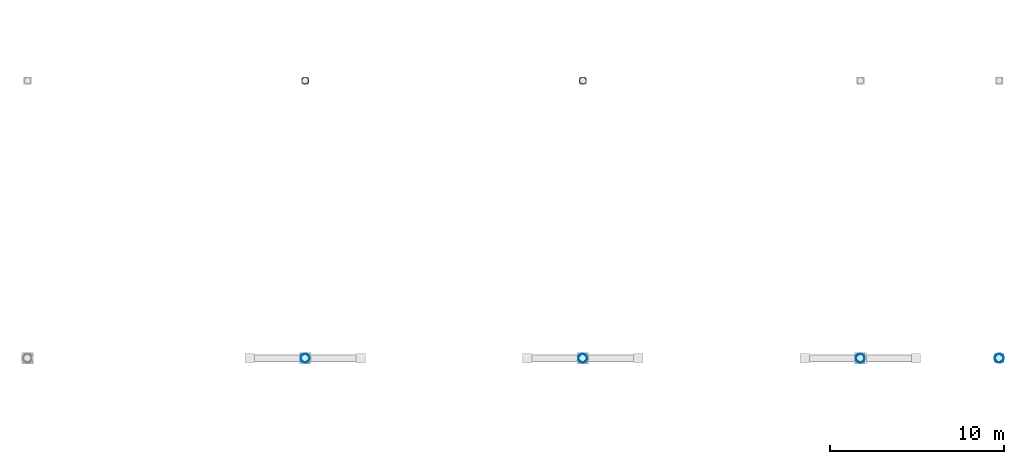
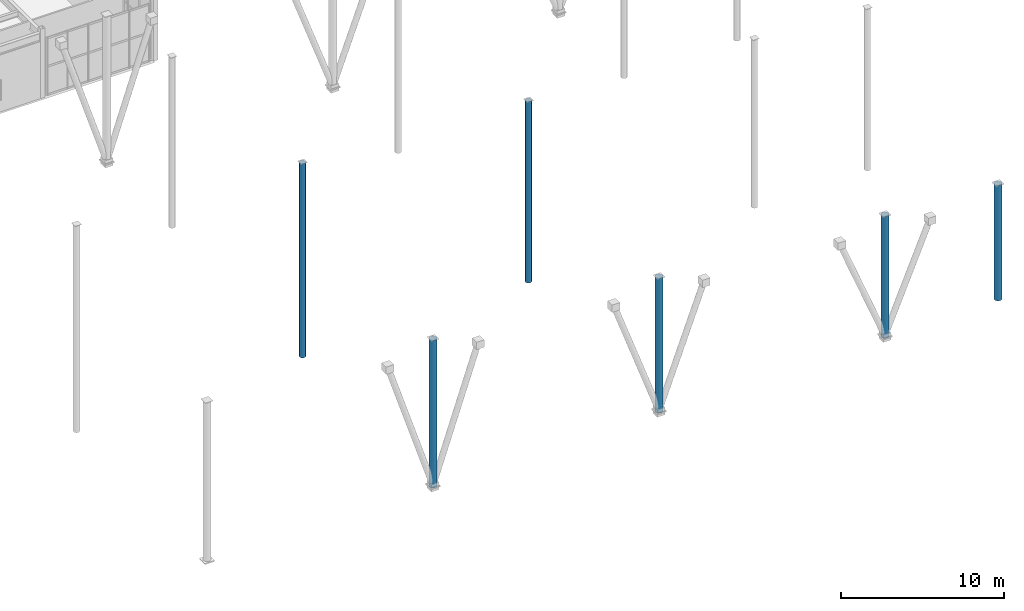
# One storey, part 15 of 77: 6 columns.
"""IFC4 building model written with IfcOpenShell, lengths in metres."""

from ifc_helpers import new_model, si_unit, direction, frame, origin, origin_2d, place, context, subcontext, project, spatial, hollow_circle, extrude, material, material_profile, profile_set, type_object, element, save


model = new_model("IFC4")

# Units and contexts
model_context = context("Model", 3, precision=1e-05, world=origin(), true_north=direction((0.0, 1.0)))
body_context = subcontext(model_context, "Body", "Model", "MODEL_VIEW")
ifc_project = project(units=[si_unit("LENGTHUNIT", "METRE"), si_unit("AREAUNIT", "SQUARE_METRE"), si_unit("VOLUMEUNIT", "CUBIC_METRE"), si_unit("PLANEANGLEUNIT", "RADIAN"), si_unit("MASSUNIT", "GRAM", prefix="KILO")], contexts=[model_context])

# Site, building, storey
site_placement = place(None, origin())
site = spatial("IfcSite", under=ifc_project, at=site_placement, CompositionType="ELEMENT")
building_placement = place(site_placement, origin())
building = spatial("IfcBuilding", under=site, at=building_placement, Name="Drelvath Fold Interchange", CompositionType="ELEMENT")
storey_placement = place(building_placement, frame((0.0, 0.0, 6.0)))
storey = spatial("IfcBuildingStorey", under=building, at=storey_placement, Name="L01", CompositionType="ELEMENT", Elevation=6.0)

# Columns
ifc_material = material(Name="Steel ASTM A500 Grade C", Category="steel")
ifc_material_profile_1 = material_profile(ifc_material, hollow_circle(Radius=0.25390625, WallThickness=0.014892578125, at=origin_2d()), Name="HSS20.000X0.625")
ifc_profile_set_1 = profile_set([ifc_material_profile_1], Name="Steel ASTM A500 Grade C")
column_type_1 = type_object("IfcColumnType", Name="COL-CFT508", PredefinedType="COLUMN", material=ifc_profile_set_1)
column_1_placement = place(storey_placement, frame((134.0, 27.0, 0.0), z_axis=(0.0, 0.0, 1.0), x_axis=(1.0, 0.0, 0.0)))
element("IfcColumn", 1, at=column_1_placement, inside=storey, type_object=column_type_1, Name="L01 column (134,27)", PredefinedType="COLUMN", context=body_context, shape_type="SweptSolid", body=[
    extrude(hollow_circle(Radius=0.25390625, WallThickness=0.014892578125, at=origin_2d()), origin(), (0.0, 0.0, 1.0), 11.047119140625),
])
column_2_placement = place(storey_placement, frame((150.0, 27.0, 0.0), z_axis=(0.0, 0.0, 1.0), x_axis=(1.0, 0.0, 0.0)))
element("IfcColumn", 2, at=column_2_placement, inside=storey, type_object=column_type_1, Name="L01 column (150,27)", PredefinedType="COLUMN", context=body_context, shape_type="SweptSolid", body=[
    extrude(hollow_circle(Radius=0.25390625, WallThickness=0.014892578125, at=origin_2d()), origin(), (0.0, 0.0, 1.0), 10.083984375),
])
column_3_placement = place(storey_placement, frame((166.0, 27.0, 0.0), z_axis=(0.0, 0.0, 1.0), x_axis=(1.0, 0.0, 0.0)))
element("IfcColumn", 3, at=column_3_placement, inside=storey, type_object=column_type_1, Name="L01 column (166,27)", PredefinedType="COLUMN", context=body_context, shape_type="SweptSolid", body=[
    extrude(hollow_circle(Radius=0.25390625, WallThickness=0.014892578125, at=origin_2d()), origin(), (0.0, 0.0, 1.0), 9.1220703125),
])
column_4_placement = place(storey_placement, frame((174.0, 27.0, 0.0), z_axis=(0.0, 0.0, 1.0), x_axis=(1.0, 0.0, 0.0)))
element("IfcColumn", 4, at=column_4_placement, inside=storey, type_object=column_type_1, Name="L01 column (174,27)", PredefinedType="COLUMN", context=body_context, shape_type="SweptSolid", body=[
    extrude(hollow_circle(Radius=0.25390625, WallThickness=0.014892578125, at=origin_2d()), origin(), (0.0, 0.0, 1.0), 8.64111328125),
])
ifc_material_profile_2 = material_profile(ifc_material, hollow_circle(Radius=0.202880859375, WallThickness=0.014892578125, at=origin_2d()), Name="HSS16.000X0.625")
ifc_profile_set_2 = profile_set([ifc_material_profile_2], Name="Steel ASTM A500 Grade C")
column_type_2 = type_object("IfcColumnType", Name="COL-CHS406", PredefinedType="COLUMN", material=ifc_profile_set_2)
column_5_placement = place(storey_placement, frame((134.0, 43.0, 0.0), z_axis=(0.0, 0.0, 1.0), x_axis=(1.0, 0.0, 0.0)))
element("IfcColumn", 5, at=column_5_placement, inside=storey, type_object=column_type_2, Name="L01 column (134,43)", PredefinedType="COLUMN", context=body_context, shape_type="SweptSolid", body=[
    extrude(hollow_circle(Radius=0.202880859375, WallThickness=0.014892578125, at=origin_2d()), origin(), (0.0, 0.0, 1.0), 14.534912109375),
])
column_6_placement = place(storey_placement, frame((150.0, 43.0, 0.0), z_axis=(0.0, 0.0, 1.0), x_axis=(1.0, 0.0, 0.0)))
element("IfcColumn", 6, at=column_6_placement, inside=storey, type_object=column_type_2, Name="L01 column (150,43)", PredefinedType="COLUMN", context=body_context, shape_type="SweptSolid", body=[
    extrude(hollow_circle(Radius=0.202880859375, WallThickness=0.014892578125, at=origin_2d()), origin(), (0.0, 0.0, 1.0), 13.572021484375),
])

save(model, "model.ifc")
